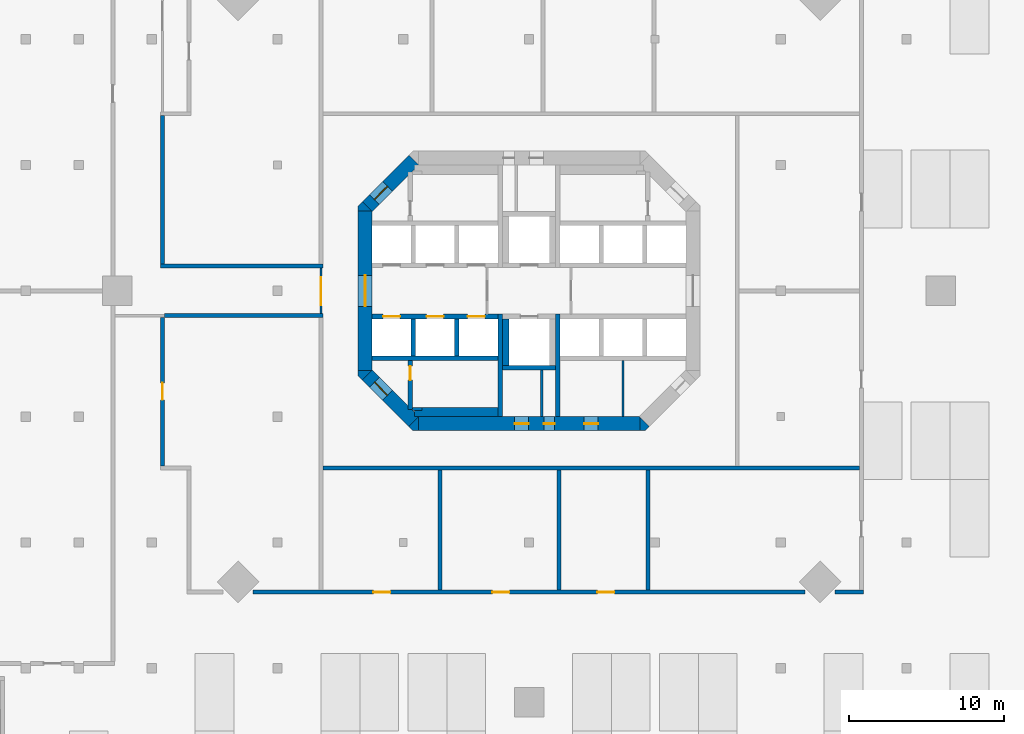
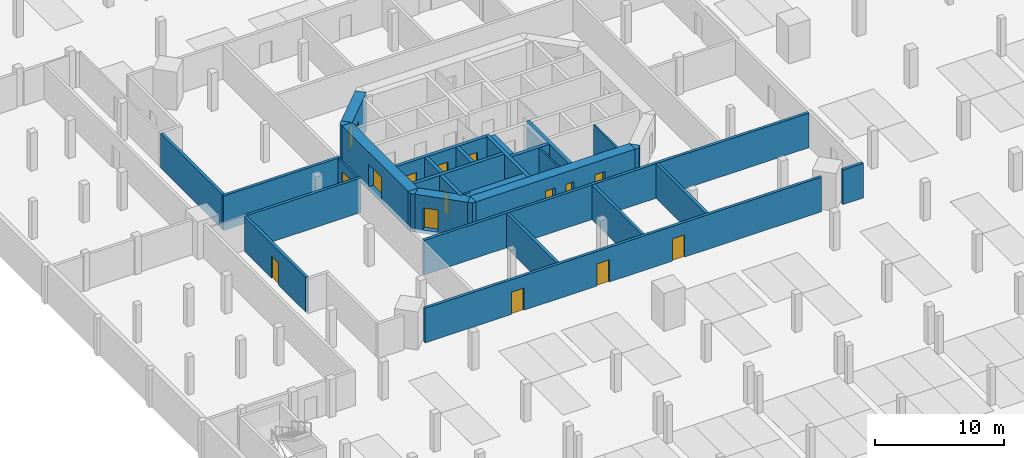
# One storey, part 5 of 14: 32 walls, 15 doors, 15 openings.
"""IFC4 building model written with IfcOpenShell, lengths in metres."""

from ifc_helpers import new_model, si_unit, direction, frame, frame_2d, origin, place, context, subcontext, project, spatial, polyline, rectangle, outline, extrude, material, layer, layer_set, type_object, element, fill, save


model = new_model("IFC4")

# Units and contexts
model_context = context("Model", 3, precision=1e-05, world=origin(), true_north=direction((0.0, 1.0)))
body_context = subcontext(model_context, "Body", "Model", "MODEL_VIEW")
ifc_project = project(units=[si_unit("LENGTHUNIT", "METRE"), si_unit("AREAUNIT", "SQUARE_METRE"), si_unit("VOLUMEUNIT", "CUBIC_METRE"), si_unit("PLANEANGLEUNIT", "RADIAN"), si_unit("MASSUNIT", "GRAM", prefix="KILO")], contexts=[model_context])

# Site, building, storey
site_placement = place(None, origin())
site = spatial("IfcSite", under=ifc_project, at=site_placement, CompositionType="ELEMENT")
building_placement = place(site_placement, origin())
building = spatial("IfcBuilding", under=site, at=building_placement, Name="Torre Triforio", CompositionType="ELEMENT")
storey_placement = place(building_placement, frame((0.0, 0.0, -7.199951171875)))
storey = spatial("IfcBuildingStorey", under=building, at=storey_placement, Name="B2", CompositionType="ELEMENT", Elevation=-7.199951171875)

# Walls
ifc_material_1 = material(Name="Concrete C60", Category="concrete")
ifc_layer_1 = layer(ifc_material_1, 0.300048828125)
ifc_layer_set_1 = layer_set([ifc_layer_1], Name="Concrete C60")
wall_type_1 = type_object("IfcWallType", Name="Core wall 300 mm C60 EI 120", PredefinedType="SHEAR", material=ifc_layer_set_1)
for number, where, z_axis, x_axis, name in (
    (1, (-1.85009765625, -8.10009765625, 0.0), (0.0, 0.0, 1.0), (0.0, 1.0, 0.0), "Core wall"),
    (2, (1.85009765625, -8.10009765625, 0.0), (0.0, 0.0, 1.0), (0.0, 1.0, 0.0), "Core wall"),
):
    element("IfcWall", number, at=place(storey_placement, frame(where, z_axis=z_axis, x_axis=x_axis)), inside=storey, type_object=wall_type_1, Name=name, PredefinedType="SHEAR", context=body_context, shape_type="SweptSolid", body=[
        extrude(rectangle(XDim=6.60009765625, YDim=0.300048828125, at=frame_2d((3.300048828125, 0.0))), origin(), (0.0, 0.0, 1.0), 3.280029296875),
    ])

# Wall, openings, doors
ifc_layer_2 = layer(ifc_material_1, 0.89990234375)
ifc_layer_set_2 = layer_set([ifc_layer_2], Name="Concrete C60")
wall_type_2 = type_object("IfcWallType", Name="Core wall 900 mm C60 EI 120", PredefinedType="SHEAR", material=ifc_layer_set_2)
wall_1_placement = place(storey_placement, frame((-7.1298828125, -8.550048828125, -0.320068359375), z_axis=(0.0, 0.0, 1.0), x_axis=(1.0, 0.0, 0.0)))
wall_1 = element("IfcWall", 3, at=wall_1_placement, inside=storey, type_object=wall_type_2, Name="Core wall", PredefinedType="SHEAR", context=body_context, shape_type="SweptSolid", body=[
    extrude(rectangle(XDim=14.259765625, YDim=0.89990234375, at=frame_2d((7.1298828125, 0.0))), origin(), (0.0, 0.0, 1.0), 3.60009765625),
])
opening_1_placement = place(wall_1_placement, frame((8.080078125, 0.0, 0.320068359375)))
opening_1 = element("IfcOpeningElement", 4, at=opening_1_placement, cuts=wall_1, Name="Opening RISER-S", PredefinedType="OPENING", context=body_context, shape_type="SweptSolid", body=[
    extrude(rectangle(XDim=0.699951171875, YDim=2.10009765625, at=frame_2d((0.35009765625, 1.050048828125))), frame((0.0, 0.4599609375, 0.0), z_axis=(0.0, -1.0, 0.0), x_axis=(1.0, 0.0, 0.0)), (0.0, 0.0, 1.0), 0.919921875),
])
opening_2_placement = place(wall_1_placement, frame((6.205078125, 0.0, 0.320068359375)))
opening_2 = element("IfcOpeningElement", 5, at=opening_2_placement, cuts=wall_1, Name="Opening SW-01", PredefinedType="OPENING", context=body_context, shape_type="SweptSolid", body=[
    extrude(rectangle(XDim=0.89990234375, YDim=2.10009765625, at=frame_2d((0.449951171875, 1.050048828125))), frame((0.0, 0.4599609375, 0.0), z_axis=(0.0, -1.0, 0.0), x_axis=(1.0, 0.0, 0.0)), (0.0, 0.0, 1.0), 0.919921875),
])
opening_3_placement = place(wall_1_placement, frame((10.66748046875, 0.0, 0.320068359375)))
opening_3 = element("IfcOpeningElement", 6, at=opening_3_placement, cuts=wall_1, Name="Opening SE-01", PredefinedType="OPENING", context=body_context, shape_type="SweptSolid", body=[
    extrude(rectangle(XDim=0.89990234375, YDim=2.10009765625, at=frame_2d((0.449951171875, 1.050048828125))), frame((0.0, 0.4599609375, 0.0), z_axis=(0.0, -1.0, 0.0), x_axis=(1.0, 0.0, 0.0)), (0.0, 0.0, 1.0), 0.919921875),
])
ifc_material_2 = material(Name="Hollow metal fire door leaf")
door_type_1 = type_object("IfcDoorType", Name="Plant room door 900 x 2100 EI 60", OperationType="NOTDEFINED", PredefinedType="DOOR", material=ifc_material_2)
door_1_placement = place(opening_2_placement, origin())
door_1 = element("IfcDoor", 7, at=door_1_placement, inside=storey, type_object=door_type_1, Name="Core door SW-01", OperationType="SINGLE_SWING_RIGHT", OverallHeight=2.10009765625, OverallWidth=0.89990234375, PredefinedType="DOOR", context=body_context, shape_type="SweptSolid", body=[
    extrude(rectangle(XDim=0.89990234375, YDim=2.10009765625, at=frame_2d((0.449951171875, 1.050048828125))), frame((0.0, 0.02490234375, 0.0), z_axis=(0.0, -1.0, 0.0), x_axis=(1.0, 0.0, 0.0)), (0.0, 0.0, 1.0), 0.050048828125),
])
fill(opening_2, door_1)
door_2_placement = place(opening_3_placement, origin())
door_2 = element("IfcDoor", 8, at=door_2_placement, inside=storey, type_object=door_type_1, Name="Core door SE-01", OperationType="SINGLE_SWING_RIGHT", OverallHeight=2.10009765625, OverallWidth=0.89990234375, PredefinedType="DOOR", context=body_context, shape_type="SweptSolid", body=[
    extrude(rectangle(XDim=0.89990234375, YDim=2.10009765625, at=frame_2d((0.449951171875, 1.050048828125))), frame((0.0, 0.02490234375, 0.0), z_axis=(0.0, -1.0, 0.0), x_axis=(1.0, 0.0, 0.0)), (0.0, 0.0, 1.0), 0.050048828125),
])
fill(opening_3, door_2)
door_type_2 = type_object("IfcDoorType", Name="Riser door 700 x 2100 EI 60", OperationType="NOTDEFINED", PredefinedType="DOOR", material=ifc_material_2)
door_3_placement = place(opening_1_placement, origin())
door_3 = element("IfcDoor", 9, at=door_3_placement, inside=storey, type_object=door_type_2, Name="Core door RISER-S", OperationType="SINGLE_SWING_RIGHT", OverallHeight=2.10009765625, OverallWidth=0.699951171875, PredefinedType="DOOR", context=body_context, shape_type="SweptSolid", body=[
    extrude(rectangle(XDim=0.699951171875, YDim=2.10009765625, at=frame_2d((0.35009765625, 1.050048828125))), frame((0.0, 0.02490234375, 0.0), z_axis=(0.0, -1.0, 0.0), x_axis=(1.0, 0.0, 0.0)), (0.0, 0.0, 1.0), 0.050048828125),
])
fill(opening_1, door_3)

# Wall, opening, door
wall_2_placement = place(storey_placement, frame((-10.550048828125, -5.1298828125, -0.320068359375), z_axis=(0.0, 0.0, 1.0), x_axis=(0.0, 1.0, 0.0)))
wall_2 = element("IfcWall", 10, at=wall_2_placement, inside=storey, type_object=wall_type_2, Name="Core wall", PredefinedType="SHEAR", context=body_context, shape_type="SweptSolid", body=[
    extrude(rectangle(XDim=10.259765625, YDim=0.89990234375, at=frame_2d((5.1298828125, 0.0))), origin(), (0.0, 0.0, 1.0), 3.60009765625),
])
opening_4_placement = place(wall_2_placement, frame((4.1298828125, 0.0, 0.320068359375)))
opening_4 = element("IfcOpeningElement", 11, at=opening_4_placement, cuts=wall_2, Name="Opening W-RING", PredefinedType="OPENING", context=body_context, shape_type="SweptSolid", body=[
    extrude(rectangle(XDim=2.0, YDim=2.10009765625, at=frame_2d((1.0, 1.050048828125))), frame((0.0, 0.4599609375, 0.0), z_axis=(0.0, -1.0, 0.0), x_axis=(1.0, 0.0, 0.0)), (0.0, 0.0, 1.0), 0.919921875),
])
door_type_3 = type_object("IfcDoorType", Name="Lobby door 2000 x 2100 EI 60", OperationType="DOUBLE_DOOR_SINGLE_SWING", PredefinedType="DOOR", material=ifc_material_2)
door_4_placement = place(opening_4_placement, origin())
door_4 = element("IfcDoor", 12, at=door_4_placement, inside=storey, type_object=door_type_3, Name="Core door W-RING", OperationType="DOUBLE_DOOR_SINGLE_SWING", OverallHeight=2.10009765625, OverallWidth=2.0, PredefinedType="DOOR", context=body_context, shape_type="SweptSolid", body=[
    extrude(rectangle(XDim=2.0, YDim=2.10009765625, at=frame_2d((1.0, 1.050048828125))), frame((0.0, 0.02490234375, 0.0), z_axis=(0.0, -1.0, 0.0), x_axis=(1.0, 0.0, 0.0)), (0.0, 0.0, 1.0), 0.050048828125),
])
fill(opening_4, door_4)

wall_3_placement = place(storey_placement, frame((-10.418212890625, 5.418212890625, -0.320068359375), z_axis=(0.0, 0.0, 1.0), x_axis=(0.707106781187, 0.707106781187, 0.0)))
wall_3 = element("IfcWall", 13, at=wall_3_placement, inside=storey, type_object=wall_type_2, Name="Core wall", PredefinedType="SHEAR", context=body_context, shape_type="SweptSolid", body=[
    extrude(rectangle(XDim=4.24267578125, YDim=0.89990234375, at=frame_2d((2.121337890625, 0.0))), origin(), (0.0, 0.0, 1.0), 3.60009765625),
])
opening_5_placement = place(wall_3_placement, frame((0.64990234375, 0.0, 0.320068359375)))
opening_5 = element("IfcOpeningElement", 14, at=opening_5_placement, cuts=wall_3, Name="Opening ST1-EXIT", PredefinedType="OPENING", context=body_context, shape_type="SweptSolid", body=[
    extrude(rectangle(XDim=1.199951171875, YDim=2.10009765625, at=frame_2d((0.60009765625, 1.050048828125))), frame((0.0, 0.4599609375, 0.0), z_axis=(0.0, -1.0, 0.0), x_axis=(1.0, 0.0, 0.0)), (0.0, 0.0, 1.0), 0.919921875),
])
door_type_4 = type_object("IfcDoorType", Name="Stair lobby door 1200 x 2100 EI 60", OperationType="NOTDEFINED", PredefinedType="DOOR", material=ifc_material_2)
door_5_placement = place(opening_5_placement, origin())
door_5 = element("IfcDoor", 15, at=door_5_placement, inside=storey, type_object=door_type_4, Name="Core door ST1-EXIT", OperationType="SINGLE_SWING_LEFT", OverallHeight=2.10009765625, OverallWidth=1.199951171875, PredefinedType="DOOR", context=body_context, shape_type="SweptSolid", body=[
    extrude(rectangle(XDim=1.199951171875, YDim=2.10009765625, at=frame_2d((0.60009765625, 1.050048828125))), frame((0.0, 0.02490234375, 0.0), z_axis=(0.0, -1.0, 0.0), x_axis=(1.0, 0.0, 0.0)), (0.0, 0.0, 1.0), 0.050048828125),
])
fill(opening_5, door_5)

wall_4_placement = place(storey_placement, frame((-7.418212890625, -8.418212890625, -0.320068359375), z_axis=(0.0, 0.0, 1.0), x_axis=(-0.707106781187, 0.707106781187, 0.0)))
wall_4 = element("IfcWall", 16, at=wall_4_placement, inside=storey, type_object=wall_type_2, Name="Core wall", PredefinedType="SHEAR", context=body_context, shape_type="SweptSolid", body=[
    extrude(rectangle(XDim=4.24267578125, YDim=0.89990234375, at=frame_2d((2.121337890625, 0.0))), origin(), (0.0, 0.0, 1.0), 3.60009765625),
])
opening_6_placement = place(wall_4_placement, frame((2.392578125, 0.0, 0.320068359375)))
opening_6 = element("IfcOpeningElement", 17, at=opening_6_placement, cuts=wall_4, Name="Opening ST3-EXIT", PredefinedType="OPENING", context=body_context, shape_type="SweptSolid", body=[
    extrude(rectangle(XDim=1.199951171875, YDim=2.10009765625, at=frame_2d((0.60009765625, 1.050048828125))), frame((0.0, 0.4599609375, 0.0), z_axis=(0.0, -1.0, 0.0), x_axis=(1.0, 0.0, 0.0)), (0.0, 0.0, 1.0), 0.919921875),
])
door_6_placement = place(opening_6_placement, origin())
door_6 = element("IfcDoor", 18, at=door_6_placement, inside=storey, type_object=door_type_4, Name="Core door ST3-EXIT", OperationType="SINGLE_SWING_RIGHT", OverallHeight=2.10009765625, OverallWidth=1.199951171875, PredefinedType="DOOR", context=body_context, shape_type="SweptSolid", body=[
    extrude(rectangle(XDim=1.199951171875, YDim=2.10009765625, at=frame_2d((0.60009765625, 1.050048828125))), frame((0.0, 0.02490234375, 0.0), z_axis=(0.0, -1.0, 0.0), x_axis=(1.0, 0.0, 0.0)), (0.0, 0.0, 1.0), 0.050048828125),
])
fill(opening_6, door_6)

# Walls
wall_5_placement = place(storey_placement, frame((0.0, 0.0, -0.320068359375)))
element("IfcWall", 19, at=wall_5_placement, inside=storey, type_object=wall_type_2, Name="Core wall", PredefinedType="SHEAR", context=body_context, shape_type="SweptSolid", body=[
    extrude(outline(polyline([(-7.472900390625, -9.0), (-7.736328125, -8.736328125), (-7.1298828125, -8.1298828125), (-7.1298828125, -9.0), (-7.472900390625, -9.0)])), origin(), (0.0, 0.0, 1.0), 3.60009765625),
])
wall_6_placement = place(storey_placement, frame((0.0, 0.0, -0.320068359375)))
element("IfcWall", 20, at=wall_6_placement, inside=storey, type_object=wall_type_2, Name="Core wall", PredefinedType="SHEAR", context=body_context, shape_type="SweptSolid", body=[
    extrude(outline(polyline([(7.472900390625, -9.0), (7.1298828125, -9.0), (7.1298828125, -8.1298828125), (7.736328125, -8.736328125), (7.472900390625, -9.0)])), origin(), (0.0, 0.0, 1.0), 3.60009765625),
])
wall_7_placement = place(storey_placement, frame((0.0, 0.0, -0.320068359375)))
element("IfcWall", 21, at=wall_7_placement, inside=storey, type_object=wall_type_2, Name="Core wall", PredefinedType="SHEAR", context=body_context, shape_type="SweptSolid", body=[
    extrude(outline(polyline([(-11.0, -5.472900390625), (-11.0, -5.1298828125), (-10.1298828125, -5.1298828125), (-10.736328125, -5.736328125), (-11.0, -5.472900390625)])), origin(), (0.0, 0.0, 1.0), 3.60009765625),
])
wall_8_placement = place(storey_placement, frame((0.0, 0.0, -0.320068359375)))
element("IfcWall", 22, at=wall_8_placement, inside=storey, type_object=wall_type_2, Name="Core wall", PredefinedType="SHEAR", context=body_context, shape_type="SweptSolid", body=[
    extrude(outline(polyline([(-10.736328125, 5.736328125), (-10.1298828125, 5.1298828125), (-11.0, 5.1298828125), (-11.0, 5.472900390625), (-10.736328125, 5.736328125)])), origin(), (0.0, 0.0, 1.0), 3.60009765625),
])

# Wall, opening, door
ifc_material_3 = material(Name="Plasterboard on metal studs")
ifc_layer_3 = layer(ifc_material_3, 0.14990234375)
ifc_layer_set_3 = layer_set([ifc_layer_3], Name="Plasterboard on metal studs")
wall_type_3 = type_object("IfcWallType", Name="Corridor wall 150 EI 60", PredefinedType="PARTITIONING", material=ifc_layer_set_3)
wall_9_placement = place(storey_placement, frame((-13.39990234375, -1.47509765625, 0.0), z_axis=(0.0, 0.0, 1.0), x_axis=(0.0, 1.0, 0.0)))
wall_9 = element("IfcWall", 23, at=wall_9_placement, inside=storey, type_object=wall_type_3, Name="Corridor wall B2 050", PredefinedType="PARTITIONING", context=body_context, shape_type="SweptSolid", body=[
    extrude(rectangle(XDim=2.9501953125, YDim=0.14990234375, at=frame_2d((1.47509765625, 0.0))), origin(), (0.0, 0.0, 1.0), 3.280029296875),
])
opening_7_placement = place(wall_9_placement, frame((0.550048828125, 0.0, 0.0)))
opening_7 = element("IfcOpeningElement", 24, at=opening_7_placement, cuts=wall_9, Name="Opening BS2-20", PredefinedType="OPENING", context=body_context, shape_type="SweptSolid", body=[
    extrude(rectangle(XDim=1.800048828125, YDim=2.39990234375, at=frame_2d((0.89990234375, 1.199951171875))), frame((0.0, 0.0849609375, 0.0), z_axis=(0.0, -1.0, 0.0), x_axis=(1.0, 0.0, 0.0)), (0.0, 0.0, 1.0), 0.169921875),
])
ifc_material_4 = material(Name="Timber door leaf", Category="wood")
door_type_5 = type_object("IfcDoorType", Name="Double door 1800 x 2400 EI 60", OperationType="NOTDEFINED", PredefinedType="DOOR", material=ifc_material_4)
door_7_placement = place(opening_7_placement, origin())
door_7 = element("IfcDoor", 25, at=door_7_placement, inside=storey, type_object=door_type_5, Name="Door BS2-20", OperationType="SINGLE_SWING_LEFT", OverallHeight=2.39990234375, OverallWidth=1.800048828125, PredefinedType="DOOR", context=body_context, shape_type="SweptSolid", body=[
    extrude(rectangle(XDim=1.800048828125, YDim=2.39990234375, at=frame_2d((0.89990234375, 1.199951171875))), frame((0.0, 0.02490234375, 0.0), z_axis=(0.0, -1.0, 0.0), x_axis=(1.0, 0.0, 0.0)), (0.0, 0.0, 1.0), 0.050048828125),
])
fill(opening_7, door_7)

# Walls
ifc_material_5 = material(Name="Block and board partition")
ifc_layer_4 = layer(ifc_material_5, 0.14990234375)
ifc_layer_set_4 = layer_set([ifc_layer_4], Name="Block and board partition")
wall_type_4 = type_object("IfcWallType", Name="Partition 150 mm", PredefinedType="PARTITIONING", material=ifc_layer_set_4)
wall_10_placement = place(storey_placement, frame((6.050048828125, -8.10009765625, 0.0), z_axis=(0.0, 0.0, 1.0), x_axis=(0.0, 1.0, 0.0)))
element("IfcWall", 26, at=wall_10_placement, inside=storey, type_object=wall_type_4, Name="Partition", PredefinedType="PARTITIONING", context=body_context, shape_type="SweptSolid", body=[
    extrude(rectangle(XDim=3.60009765625, YDim=0.14990234375, at=frame_2d((1.800048828125, 0.0))), origin(), (0.0, 0.0, 1.0), 3.280029296875),
])
ifc_layer_5 = layer(ifc_material_5, 0.14990234375)
ifc_layer_set_5 = layer_set([ifc_layer_5], Name="Block and board partition")
wall_type_5 = type_object("IfcWallType", Name="Partition 150 mm EI 120", PredefinedType="PARTITIONING", material=ifc_layer_set_5)
wall_11_placement = place(storey_placement, frame((0.824951171875, -8.10009765625, 0.0), z_axis=(0.0, 0.0, 1.0), x_axis=(0.0, 1.0, 0.0)))
element("IfcWall", 27, at=wall_11_placement, inside=storey, type_object=wall_type_5, Name="Partition", PredefinedType="PARTITIONING", context=body_context, shape_type="SweptSolid", body=[
    extrude(rectangle(XDim=3.0, YDim=0.14990234375, at=frame_2d((1.5, 0.0))), origin(), (0.0, 0.0, 1.0), 3.280029296875),
])
ifc_material_6 = material(Name="Masonry block", Category="masonry")
ifc_layer_6 = layer(ifc_material_6, 0.25)
ifc_layer_set_6 = layer_set([ifc_layer_6], Name="Masonry block")
wall_type_6 = type_object("IfcWallType", Name="Plant room wall 250 EI 120", PredefinedType="PARTITIONING", material=ifc_layer_set_6)
wall_12_placement = place(storey_placement, frame((19.6982421875, -19.39990234375, 0.0), z_axis=(0.0, 0.0, 1.0), x_axis=(1.0, 0.0, 0.0)))
element("IfcWall", 28, at=wall_12_placement, inside=storey, type_object=wall_type_6, Name="Plant room wall B2 030", PredefinedType="PARTITIONING", context=body_context, shape_type="SweptSolid", body=[
    extrude(rectangle(XDim=1.82666015625, YDim=0.25, at=frame_2d((0.913330078125, 0.0))), origin(), (0.0, 0.0, 1.0), 3.280029296875),
])

# Wall, openings, doors
wall_13_placement = place(storey_placement, frame((-17.7783203125, -19.39990234375, 0.0), z_axis=(0.0, 0.0, 1.0), x_axis=(1.0, 0.0, 0.0)))
wall_13 = element("IfcWall", 29, at=wall_13_placement, inside=storey, type_object=wall_type_6, Name="Plant room wall B2 046", PredefinedType="PARTITIONING", context=body_context, shape_type="SweptSolid", body=[
    extrude(rectangle(XDim=35.556640625, YDim=0.25, at=frame_2d((17.7783203125, 0.0))), origin(), (0.0, 0.0, 1.0), 3.280029296875),
])
opening_8_placement = place(wall_13_placement, frame((7.75341796875, 0.0, 0.0)))
opening_8 = element("IfcOpeningElement", 30, at=opening_8_placement, cuts=wall_13, Name="Opening BS2-09", PredefinedType="OPENING", context=body_context, shape_type="SweptSolid", body=[
    extrude(rectangle(XDim=1.10009765625, YDim=2.10009765625, at=frame_2d((0.550048828125, 1.050048828125))), frame((0.0, 0.135009765625, 0.0), z_axis=(0.0, -1.0, 0.0), x_axis=(1.0, 0.0, 0.0)), (0.0, 0.0, 1.0), 0.27001953125),
])
opening_9_placement = place(wall_13_placement, frame((15.410400390625, 0.0, 0.0)))
opening_9 = element("IfcOpeningElement", 31, at=opening_9_placement, cuts=wall_13, Name="Opening BS2-10", PredefinedType="OPENING", context=body_context, shape_type="SweptSolid", body=[
    extrude(rectangle(XDim=1.10009765625, YDim=2.10009765625, at=frame_2d((0.550048828125, 1.050048828125))), frame((0.0, 0.135009765625, 0.0), z_axis=(0.0, -1.0, 0.0), x_axis=(1.0, 0.0, 0.0)), (0.0, 0.0, 1.0), 0.27001953125),
])
opening_10_placement = place(wall_13_placement, frame((22.16748046875, 0.0, 0.0)))
opening_10 = element("IfcOpeningElement", 32, at=opening_10_placement, cuts=wall_13, Name="Opening BS2-11", PredefinedType="OPENING", context=body_context, shape_type="SweptSolid", body=[
    extrude(rectangle(XDim=1.10009765625, YDim=2.10009765625, at=frame_2d((0.550048828125, 1.050048828125))), frame((0.0, 0.135009765625, 0.0), z_axis=(0.0, -1.0, 0.0), x_axis=(1.0, 0.0, 0.0)), (0.0, 0.0, 1.0), 0.27001953125),
])
door_type_6 = type_object("IfcDoorType", Name="Plant room door 1100 x 2100 EI 60", OperationType="NOTDEFINED", PredefinedType="DOOR", material=ifc_material_2)
door_8_placement = place(opening_8_placement, origin())
door_8 = element("IfcDoor", 33, at=door_8_placement, inside=storey, type_object=door_type_6, Name="Door BS2-09", OperationType="SINGLE_SWING_LEFT", OverallHeight=2.10009765625, OverallWidth=1.10009765625, PredefinedType="DOOR", context=body_context, shape_type="SweptSolid", body=[
    extrude(rectangle(XDim=1.10009765625, YDim=2.10009765625, at=frame_2d((0.550048828125, 1.050048828125))), frame((0.0, 0.02490234375, 0.0), z_axis=(0.0, -1.0, 0.0), x_axis=(1.0, 0.0, 0.0)), (0.0, 0.0, 1.0), 0.050048828125),
])
fill(opening_8, door_8)
door_9_placement = place(opening_9_placement, origin())
door_9 = element("IfcDoor", 34, at=door_9_placement, inside=storey, type_object=door_type_6, Name="Door BS2-10", OperationType="SINGLE_SWING_LEFT", OverallHeight=2.10009765625, OverallWidth=1.10009765625, PredefinedType="DOOR", context=body_context, shape_type="SweptSolid", body=[
    extrude(rectangle(XDim=1.10009765625, YDim=2.10009765625, at=frame_2d((0.550048828125, 1.050048828125))), frame((0.0, 0.02490234375, 0.0), z_axis=(0.0, -1.0, 0.0), x_axis=(1.0, 0.0, 0.0)), (0.0, 0.0, 1.0), 0.050048828125),
])
fill(opening_9, door_9)
door_10_placement = place(opening_10_placement, origin())
door_10 = element("IfcDoor", 35, at=door_10_placement, inside=storey, type_object=door_type_6, Name="Door BS2-11", OperationType="SINGLE_SWING_LEFT", OverallHeight=2.10009765625, OverallWidth=1.10009765625, PredefinedType="DOOR", context=body_context, shape_type="SweptSolid", body=[
    extrude(rectangle(XDim=1.10009765625, YDim=2.10009765625, at=frame_2d((0.550048828125, 1.050048828125))), frame((0.0, 0.02490234375, 0.0), z_axis=(0.0, -1.0, 0.0), x_axis=(1.0, 0.0, 0.0)), (0.0, 0.0, 1.0), 0.050048828125),
])
fill(opening_10, door_10)

# Wall, opening, door
wall_14_placement = place(storey_placement, frame((-23.60009765625, -11.27490234375, 0.0), z_axis=(0.0, 0.0, 1.0), x_axis=(0.0, 1.0, 0.0)))
wall_14 = element("IfcWall", 36, at=wall_14_placement, inside=storey, type_object=wall_type_6, Name="Plant room wall B2 048", PredefinedType="PARTITIONING", context=body_context, shape_type="SweptSolid", body=[
    extrude(rectangle(XDim=9.5498046875, YDim=0.25, at=frame_2d((4.77490234375, 0.0))), origin(), (0.0, 0.0, 1.0), 3.280029296875),
])
opening_11_placement = place(wall_14_placement, frame((4.25, 0.0, 0.0)))
opening_11 = element("IfcOpeningElement", 37, at=opening_11_placement, cuts=wall_14, Name="Opening BS2-18", PredefinedType="OPENING", context=body_context, shape_type="SweptSolid", body=[
    extrude(rectangle(XDim=1.10009765625, YDim=2.10009765625, at=frame_2d((0.550048828125, 1.050048828125))), frame((0.0, 0.135009765625, 0.0), z_axis=(0.0, -1.0, 0.0), x_axis=(1.0, 0.0, 0.0)), (0.0, 0.0, 1.0), 0.27001953125),
])
door_11_placement = place(opening_11_placement, origin())
door_11 = element("IfcDoor", 38, at=door_11_placement, inside=storey, type_object=door_type_6, Name="Door BS2-18", OperationType="SINGLE_SWING_LEFT", OverallHeight=2.10009765625, OverallWidth=1.10009765625, PredefinedType="DOOR", context=body_context, shape_type="SweptSolid", body=[
    extrude(rectangle(XDim=1.10009765625, YDim=2.10009765625, at=frame_2d((0.550048828125, 1.050048828125))), frame((0.0, 0.02490234375, 0.0), z_axis=(0.0, -1.0, 0.0), x_axis=(1.0, 0.0, 0.0)), (0.0, 0.0, 1.0), 0.050048828125),
])
fill(opening_11, door_11)

# Walls
wall_15_placement = place(storey_placement, frame((-23.72509765625, 1.60009765625, 0.0), z_axis=(0.0, 0.0, 1.0), x_axis=(1.0, 0.0, 0.0)))
element("IfcWall", 39, at=wall_15_placement, inside=storey, type_object=wall_type_6, Name="Plant room wall B2 052", PredefinedType="PARTITIONING", context=body_context, shape_type="SweptSolid", body=[
    extrude(rectangle(XDim=10.4501953125, YDim=0.25, at=frame_2d((5.22509765625, 0.0))), origin(), (0.0, 0.0, 1.0), 3.280029296875),
])
wall_16_placement = place(storey_placement, frame((-23.47509765625, -1.60009765625, 0.0), z_axis=(0.0, 0.0, 1.0), x_axis=(1.0, 0.0, 0.0)))
element("IfcWall", 40, at=wall_16_placement, inside=storey, type_object=wall_type_6, Name="Plant room wall B2 053", PredefinedType="PARTITIONING", context=body_context, shape_type="SweptSolid", body=[
    extrude(rectangle(XDim=10.2001953125, YDim=0.25, at=frame_2d((5.10009765625, 0.0))), origin(), (0.0, 0.0, 1.0), 3.280029296875),
])
wall_17_placement = place(storey_placement, frame((-23.60009765625, 1.72509765625, 0.0), z_axis=(0.0, 0.0, 1.0), x_axis=(0.0, 1.0, 0.0)))
element("IfcWall", 41, at=wall_17_placement, inside=storey, type_object=wall_type_6, Name="Plant room wall B2 054", PredefinedType="PARTITIONING", context=body_context, shape_type="SweptSolid", body=[
    extrude(rectangle(XDim=9.5498046875, YDim=0.25, at=frame_2d((4.77490234375, 0.0))), origin(), (0.0, 0.0, 1.0), 3.280029296875),
])
wall_18_placement = place(storey_placement, frame((-13.27490234375, -11.39990234375, 0.0), z_axis=(0.0, 0.0, 1.0), x_axis=(1.0, 0.0, 0.0)))
element("IfcWall", 42, at=wall_18_placement, inside=storey, type_object=wall_type_6, Name="Plant room wall B2 055", PredefinedType="PARTITIONING", context=body_context, shape_type="SweptSolid", body=[
    extrude(rectangle(XDim=34.5498046875, YDim=0.25, at=frame_2d((17.27490234375, 0.0))), origin(), (0.0, 0.0, 1.0), 3.280029296875),
])
for number, where, z_axis, x_axis, name in (
    (43, (-5.742919921875, -19.27490234375, 0.0), (0.0, 0.0, 1.0), (0.0, 1.0, 0.0), "Plant room wall B2 057"),
    (44, (1.914306640625, -19.27490234375, 0.0), (0.0, 0.0, 1.0), (0.0, 1.0, 0.0), "Plant room wall B2 059"),
    (45, (7.656982421875, -19.27490234375, 0.0), (0.0, 0.0, 1.0), (0.0, 1.0, 0.0), "Plant room wall B2 060"),
):
    element("IfcWall", number, at=place(storey_placement, frame(where, z_axis=z_axis, x_axis=x_axis)), inside=storey, type_object=wall_type_6, Name=name, PredefinedType="PARTITIONING", context=body_context, shape_type="SweptSolid", body=[
        extrude(rectangle(XDim=7.75, YDim=0.25, at=frame_2d((3.875, 0.0))), origin(), (0.0, 0.0, 1.0), 3.280029296875),
    ])
ifc_layer_7 = layer(ifc_material_1, 0.300048828125)
ifc_layer_set_7 = layer_set([ifc_layer_7], Name="Concrete C60")
wall_type_7 = type_object("IfcWallType", Name="Shaft wall 300 mm C60 EI 120", PredefinedType="SOLIDWALL", material=ifc_layer_set_7)
wall_19_placement = place(storey_placement, frame((-10.10009765625, -4.35009765625, 0.0), z_axis=(0.0, 0.0, 1.0), x_axis=(1.0, 0.0, 0.0)))
element("IfcWall", 46, at=wall_19_placement, inside=storey, type_object=wall_type_7, Name="Shaft wall", PredefinedType="SOLIDWALL", context=body_context, shape_type="SweptSolid", body=[
    extrude(rectangle(XDim=8.10009765625, YDim=0.300048828125, at=frame_2d((4.050048828125, 0.0))), origin(), (0.0, 0.0, 1.0), 3.280029296875),
])

# Wall, openings, doors
wall_20_placement = place(storey_placement, frame((-10.10009765625, -1.64990234375, 0.0), z_axis=(0.0, 0.0, 1.0), x_axis=(1.0, 0.0, 0.0)))
wall_20 = element("IfcWall", 47, at=wall_20_placement, inside=storey, type_object=wall_type_7, Name="Shaft wall", PredefinedType="SOLIDWALL", context=body_context, shape_type="SweptSolid", body=[
    extrude(rectangle(XDim=8.10009765625, YDim=0.300048828125, at=frame_2d((4.050048828125, 0.0))), origin(), (0.0, 0.0, 1.0), 3.280029296875),
])
opening_12_placement = place(wall_20_placement, frame((0.699951171875, 0.0, 0.0)))
opening_12 = element("IfcOpeningElement", 48, at=opening_12_placement, cuts=wall_20, Name="Opening LD", PredefinedType="OPENING", context=body_context, shape_type="SweptSolid", body=[
    extrude(rectangle(XDim=1.10009765625, YDim=2.10009765625, at=frame_2d((0.550048828125, 1.050048828125))), frame((0.0, 0.159912109375, 0.0), z_axis=(0.0, -1.0, 0.0), x_axis=(1.0, 0.0, 0.0)), (0.0, 0.0, 1.0), 0.320068359375),
])
opening_13_placement = place(wall_20_placement, frame((3.5, 0.0, 0.0)))
opening_13 = element("IfcOpeningElement", 49, at=opening_13_placement, cuts=wall_20, Name="Opening LD", PredefinedType="OPENING", context=body_context, shape_type="SweptSolid", body=[
    extrude(rectangle(XDim=1.10009765625, YDim=2.10009765625, at=frame_2d((0.550048828125, 1.050048828125))), frame((0.0, 0.159912109375, 0.0), z_axis=(0.0, -1.0, 0.0), x_axis=(1.0, 0.0, 0.0)), (0.0, 0.0, 1.0), 0.320068359375),
])
opening_14_placement = place(wall_20_placement, frame((6.14990234375, 0.0, 0.0)))
opening_14 = element("IfcOpeningElement", 50, at=opening_14_placement, cuts=wall_20, Name="Opening LD", PredefinedType="OPENING", context=body_context, shape_type="SweptSolid", body=[
    extrude(rectangle(XDim=1.10009765625, YDim=2.10009765625, at=frame_2d((0.550048828125, 1.050048828125))), frame((0.0, 0.159912109375, 0.0), z_axis=(0.0, -1.0, 0.0), x_axis=(1.0, 0.0, 0.0)), (0.0, 0.0, 1.0), 0.320068359375),
])
door_type_7 = type_object("IfcDoorType", Name="Landing door 1100 x 2100 EI 60", OperationType="DOUBLE_DOOR_SLIDING", PredefinedType="DOOR", material=ifc_material_2)
door_12_placement = place(opening_12_placement, origin())
door_12 = element("IfcDoor", 51, at=door_12_placement, inside=storey, type_object=door_type_7, Name="Landing door LR4", OperationType="DOUBLE_DOOR_SLIDING", OverallHeight=2.10009765625, OverallWidth=1.10009765625, PredefinedType="DOOR", context=body_context, shape_type="SweptSolid", body=[
    extrude(rectangle(XDim=1.10009765625, YDim=2.10009765625, at=frame_2d((0.550048828125, 1.050048828125))), frame((0.0, 0.02490234375, 0.0), z_axis=(0.0, -1.0, 0.0), x_axis=(1.0, 0.0, 0.0)), (0.0, 0.0, 1.0), 0.050048828125),
])
fill(opening_12, door_12)
door_13_placement = place(opening_13_placement, origin())
door_13 = element("IfcDoor", 52, at=door_13_placement, inside=storey, type_object=door_type_7, Name="Landing door LR5", OperationType="DOUBLE_DOOR_SLIDING", OverallHeight=2.10009765625, OverallWidth=1.10009765625, PredefinedType="DOOR", context=body_context, shape_type="SweptSolid", body=[
    extrude(rectangle(XDim=1.10009765625, YDim=2.10009765625, at=frame_2d((0.550048828125, 1.050048828125))), frame((0.0, 0.02490234375, 0.0), z_axis=(0.0, -1.0, 0.0), x_axis=(1.0, 0.0, 0.0)), (0.0, 0.0, 1.0), 0.050048828125),
])
fill(opening_13, door_13)
door_14_placement = place(opening_14_placement, origin())
door_14 = element("IfcDoor", 53, at=door_14_placement, inside=storey, type_object=door_type_7, Name="Landing door LR6", OperationType="DOUBLE_DOOR_SLIDING", OverallHeight=2.10009765625, OverallWidth=1.10009765625, PredefinedType="DOOR", context=body_context, shape_type="SweptSolid", body=[
    extrude(rectangle(XDim=1.10009765625, YDim=2.10009765625, at=frame_2d((0.550048828125, 1.050048828125))), frame((0.0, 0.02490234375, 0.0), z_axis=(0.0, -1.0, 0.0), x_axis=(1.0, 0.0, 0.0)), (0.0, 0.0, 1.0), 0.050048828125),
])
fill(opening_14, door_14)

# Walls
for number, where, z_axis, x_axis, name in (
    (54, (-7.449951171875, -4.199951171875, 0.0), (0.0, 0.0, 1.0), (0.0, 1.0, 0.0), "Shaft wall"),
    (55, (-4.64990234375, -4.199951171875, 0.0), (0.0, 0.0, 1.0), (0.0, 1.0, 0.0), "Shaft wall"),
):
    element("IfcWall", number, at=place(storey_placement, frame(where, z_axis=z_axis, x_axis=x_axis)), inside=storey, type_object=wall_type_7, Name=name, PredefinedType="SOLIDWALL", context=body_context, shape_type="SweptSolid", body=[
        extrude(rectangle(XDim=2.39990234375, YDim=0.300048828125, at=frame_2d((1.199951171875, 0.0))), origin(), (0.0, 0.0, 1.0), 3.280029296875),
    ])
wall_21_placement = place(storey_placement, frame((-1.699951171875, -4.949951171875, 0.0), z_axis=(0.0, 0.0, 1.0), x_axis=(1.0, 0.0, 0.0)))
element("IfcWall", 56, at=wall_21_placement, inside=storey, type_object=wall_type_7, Name="Shaft wall", PredefinedType="SOLIDWALL", context=body_context, shape_type="SweptSolid", body=[
    extrude(rectangle(XDim=3.39990234375, YDim=0.300048828125, at=frame_2d((1.699951171875, 0.0))), origin(), (0.0, 0.0, 1.0), 3.280029296875),
])
ifc_layer_8 = layer(ifc_material_1, 0.39990234375)
ifc_layer_set_8 = layer_set([ifc_layer_8], Name="Concrete C60")
wall_type_8 = type_object("IfcWallType", Name="Shaft wall 400 mm C60 EI 120", PredefinedType="SOLIDWALL", material=ifc_layer_set_8)
wall_22_placement = place(storey_placement, frame((-1.5, -4.800048828125, 0.0), z_axis=(0.0, 0.0, 1.0), x_axis=(0.0, 1.0, 0.0)))
element("IfcWall", 57, at=wall_22_placement, inside=storey, type_object=wall_type_8, Name="Shaft wall", PredefinedType="SOLIDWALL", context=body_context, shape_type="SweptSolid", body=[
    extrude(rectangle(XDim=3.0, YDim=0.39990234375, at=frame_2d((1.5, 0.0))), origin(), (0.0, 0.0, 1.0), 3.280029296875),
])
ifc_layer_9 = layer(ifc_material_1, 0.199951171875)
ifc_layer_set_9 = layer_set([ifc_layer_9], Name="Concrete C60")
wall_type_9 = type_object("IfcWallType", Name="Stair wall 200 mm C60 EI 120", PredefinedType="SHEAR", material=ifc_layer_set_9)
wall_23_placement = place(storey_placement, frame((-7.5, -7.60009765625, 0.0), z_axis=(0.0, 0.0, 1.0), x_axis=(1.0, 0.0, 0.0)))
element("IfcWall", 58, at=wall_23_placement, inside=storey, type_object=wall_type_9, Name="Stair wall", PredefinedType="SHEAR", context=body_context, shape_type="SweptSolid", body=[
    extrude(rectangle(XDim=0.60009765625, YDim=0.199951171875, at=frame_2d((0.300048828125, 0.0))), origin(), (0.0, 0.0, 1.0), 3.280029296875),
])

# Wall, opening, door
ifc_layer_10 = layer(ifc_material_1, 0.300048828125)
ifc_layer_set_10 = layer_set([ifc_layer_10], Name="Concrete C60")
wall_type_10 = type_object("IfcWallType", Name="Stair wall 300 mm C60 EI 120", PredefinedType="SHEAR", material=ifc_layer_set_10)
wall_24_placement = place(storey_placement, frame((-7.64990234375, -7.639892578125, 0.0), z_axis=(0.0, 0.0, 1.0), x_axis=(0.0, 1.0, 0.0)))
wall_24 = element("IfcWall", 59, at=wall_24_placement, inside=storey, type_object=wall_type_10, Name="Stair wall", PredefinedType="SHEAR", context=body_context, shape_type="SweptSolid", body=[
    extrude(rectangle(XDim=3.139892578125, YDim=0.300048828125, at=frame_2d((1.56982421875, 0.0))), origin(), (0.0, 0.0, 1.0), 3.280029296875),
])
opening_15_placement = place(wall_24_placement, frame((1.889892578125, 0.0, 0.0)))
opening_15 = element("IfcOpeningElement", 60, at=opening_15_placement, cuts=wall_24, Name="Opening ST3-ST", PredefinedType="OPENING", context=body_context, shape_type="SweptSolid", body=[
    extrude(rectangle(XDim=0.89990234375, YDim=2.10009765625, at=frame_2d((0.449951171875, 1.050048828125))), frame((0.0, 0.159912109375, 0.0), z_axis=(0.0, -1.0, 0.0), x_axis=(1.0, 0.0, 0.0)), (0.0, 0.0, 1.0), 0.320068359375),
])
door_type_8 = type_object("IfcDoorType", Name="Fan room door 900 x 2100 EI 60", OperationType="NOTDEFINED", PredefinedType="DOOR", material=ifc_material_2)
door_15_placement = place(opening_15_placement, origin())
door_15 = element("IfcDoor", 61, at=door_15_placement, inside=storey, type_object=door_type_8, Name="Core door ST3-ST", OperationType="SINGLE_SWING_LEFT", OverallHeight=2.10009765625, OverallWidth=0.89990234375, PredefinedType="DOOR", context=body_context, shape_type="SweptSolid", body=[
    extrude(rectangle(XDim=0.89990234375, YDim=2.10009765625, at=frame_2d((0.449951171875, 1.050048828125))), frame((0.0, 0.02490234375, 0.0), z_axis=(0.0, -1.0, 0.0), x_axis=(1.0, 0.0, 0.0)), (0.0, 0.0, 1.0), 0.050048828125),
])
fill(opening_15, door_15)

# Wall
ifc_layer_11 = layer(ifc_material_1, 0.60009765625)
ifc_layer_set_11 = layer_set([ifc_layer_11], Name="Concrete C60")
wall_type_11 = type_object("IfcWallType", Name="Stair wall 600 mm C60 EI 120", PredefinedType="SHEAR", material=ifc_layer_set_11)
wall_25_placement = place(storey_placement, frame((-7.3701171875, -7.800048828125, 0.0), z_axis=(0.0, 0.0, 1.0), x_axis=(1.0, 0.0, 0.0)))
element("IfcWall", 62, at=wall_25_placement, inside=storey, type_object=wall_type_11, Name="Stair wall", PredefinedType="SHEAR", context=body_context, shape_type="SweptSolid", body=[
    extrude(rectangle(XDim=5.3701171875, YDim=0.60009765625, at=frame_2d((2.68505859375, 0.0))), origin(), (0.0, 0.0, 1.0), 3.280029296875),
])

save(model, "model.ifc")
